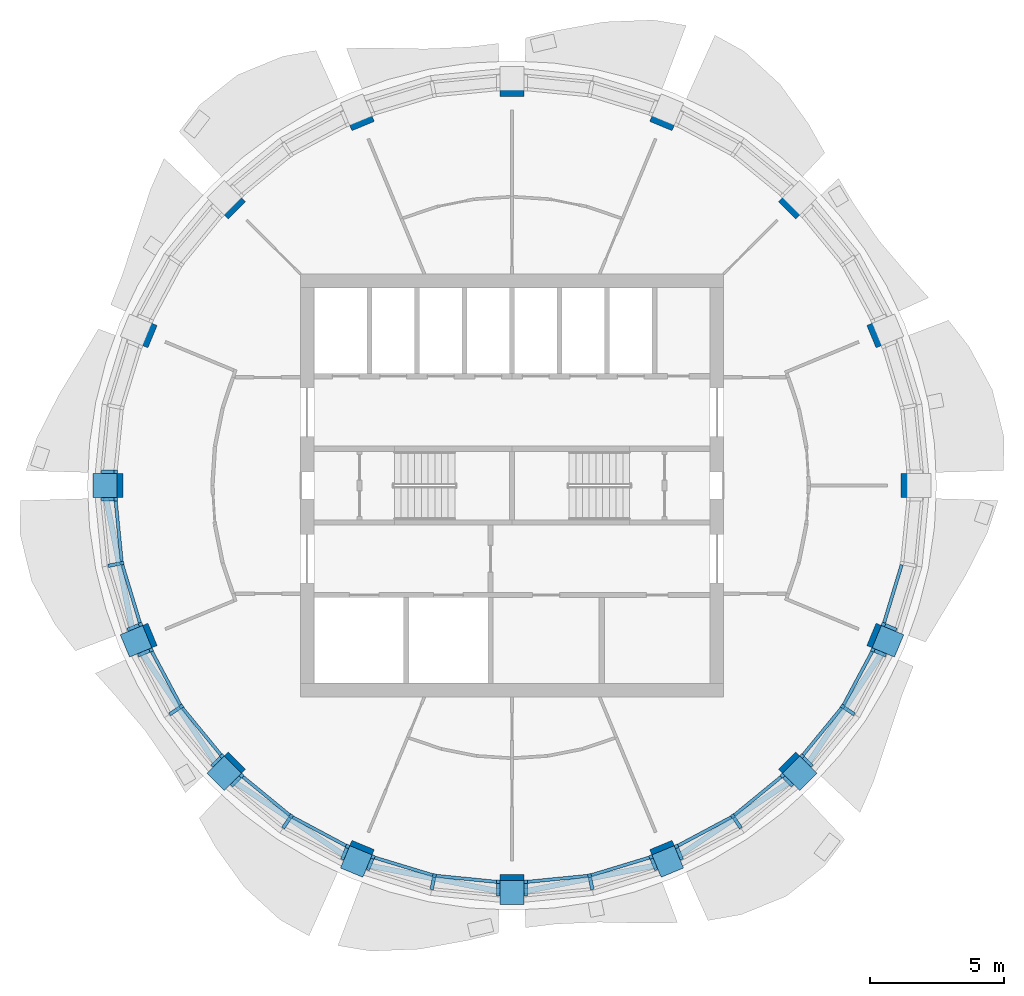
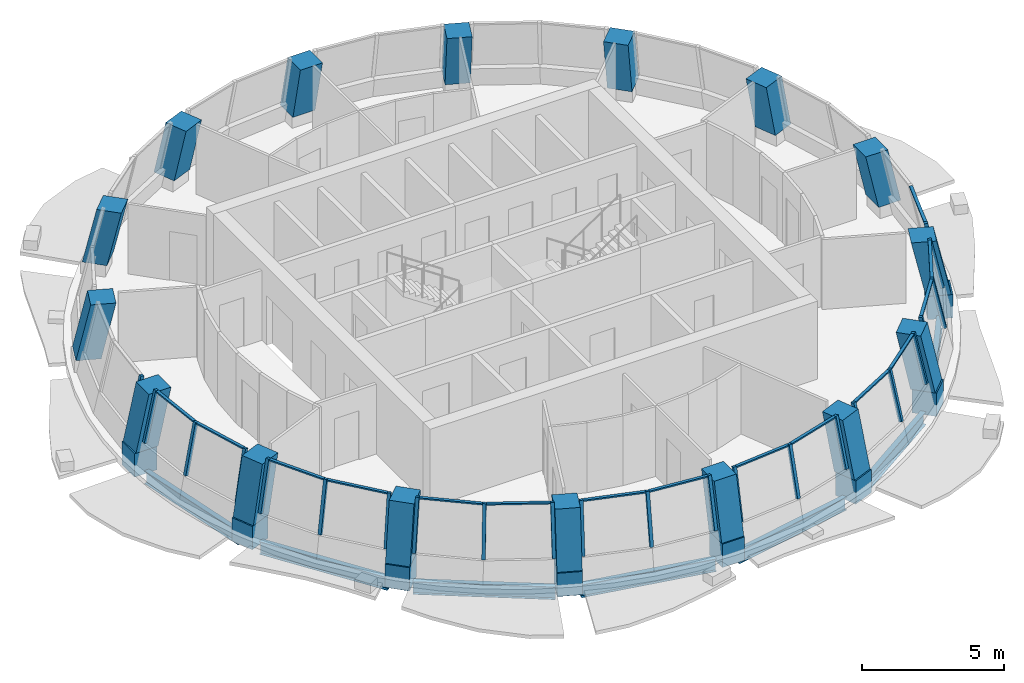
# One storey, part 1 of 11: 46 members, 16 columns, 7 beams, 9 elements without a shape of their own.
"""IFC4 building model written with IfcOpenShell, lengths in metres."""

from ifc_helpers import new_model, si_unit, direction, frame, origin, origin_2d, place, context, subcontext, project, spatial, rectangle, i_section, extrude, material, material_profile, profile_set, type_object, element, aggregate, save


model = new_model("IFC4")

# Units and contexts
model_context = context("Model", 3, precision=1e-05, world=origin(), true_north=direction((0.0, 1.0)))
body_context = subcontext(model_context, "Body", "Model", "MODEL_VIEW")
ifc_project = project(units=[si_unit("LENGTHUNIT", "METRE"), si_unit("AREAUNIT", "SQUARE_METRE"), si_unit("VOLUMEUNIT", "CUBIC_METRE"), si_unit("PLANEANGLEUNIT", "RADIAN"), si_unit("MASSUNIT", "GRAM", prefix="KILO")], contexts=[model_context])

# Site, building, storey
site_placement = place(None, origin())
site = spatial("IfcSite", under=ifc_project, at=site_placement, CompositionType="ELEMENT")
building_placement = place(site_placement, origin())
building = spatial("IfcBuilding", under=site, at=building_placement, Name="Polderwave Tower", CompositionType="ELEMENT")
storey_placement = place(building_placement, frame((0.0, 0.0, 224.5)))
storey = spatial("IfcBuildingStorey", under=building, at=storey_placement, Name="L61", CompositionType="ELEMENT", Elevation=224.5)

# Columns
ifc_material_1 = material(Name="Concrete C60/75", Category="concrete")
ifc_material_profile_1 = material_profile(ifc_material_1, rectangle(XDim=0.89990234375, YDim=0.89990234375, at=origin_2d()), Name="RC 900x900")
ifc_profile_set_1 = profile_set([ifc_material_profile_1], Name="Concrete C60/75")
column_type = type_object("IfcColumnType", Name="RC COLUMN 900x900 C60/75", PredefinedType="COLUMN", material=ifc_profile_set_1)
column_1_placement = place(storey_placement, frame((15.088134765625, 0.0, 0.5), z_axis=(0.0, 0.0, 1.0), x_axis=(0.0, -1.0, 0.0)))
element("IfcColumn", 1, at=column_1_placement, inside=storey, type_object=column_type, Name="Ring column 01", PredefinedType="COLUMN", context=body_context, shape_type="SweptSolid", body=[
    extrude(rectangle(XDim=0.89990234375, YDim=0.89990234375, at=origin_2d()), origin(), (0.0, -0.218465140573, 0.975844753203), 2.408203125),
])
column_2_placement = place(storey_placement, frame((13.939453125, 5.77392578125, 0.5), z_axis=(0.0, 0.0, 1.0), x_axis=(0.382802560388, -0.92383017907, 0.0)))
element("IfcColumn", 2, at=column_2_placement, inside=storey, type_object=column_type, Name="Ring column 02", PredefinedType="COLUMN", context=body_context, shape_type="SweptSolid", body=[
    extrude(rectangle(XDim=0.89990234375, YDim=0.89990234375, at=origin_2d()), origin(), (0.0, -0.218480393317, 0.975841338403), 2.408203125),
])
column_3_placement = place(storey_placement, frame((10.6689453125, 10.6689453125, 0.5), z_axis=(0.0, 0.0, 1.0), x_axis=(0.707106781187, -0.707106781187, 0.0)))
element("IfcColumn", 3, at=column_3_placement, inside=storey, type_object=column_type, Name="Ring column 03", PredefinedType="COLUMN", context=body_context, shape_type="SweptSolid", body=[
    extrude(rectangle(XDim=0.89990234375, YDim=0.89990234375, at=origin_2d()), origin(), (0.0, -0.218490381939, 0.975839102004), 2.408203125),
])
column_4_placement = place(storey_placement, frame((5.77392578125, 13.939453125, 0.5), z_axis=(0.0, 0.0, 1.0), x_axis=(0.92383017907, -0.382802560388, 0.0)))
element("IfcColumn", 4, at=column_4_placement, inside=storey, type_object=column_type, Name="Ring column 04", PredefinedType="COLUMN", context=body_context, shape_type="SweptSolid", body=[
    extrude(rectangle(XDim=0.89990234375, YDim=0.89990234375, at=origin_2d()), origin(), (0.0, -0.218480393317, 0.975841338403), 2.408203125),
])
column_5_placement = place(storey_placement, frame((0.0, 15.088134765625, 0.5), z_axis=(0.0, 0.0, 1.0), x_axis=(1.0, 0.0, 0.0)))
element("IfcColumn", 5, at=column_5_placement, inside=storey, type_object=column_type, Name="Ring column 05", PredefinedType="COLUMN", context=body_context, shape_type="SweptSolid", body=[
    extrude(rectangle(XDim=0.89990234375, YDim=0.89990234375, at=origin_2d()), origin(), (0.0, -0.218465140573, 0.975844753203), 2.408203125),
])
column_6_placement = place(storey_placement, frame((-5.77392578125, 13.939453125, 0.5), z_axis=(0.0, 0.0, 1.0), x_axis=(0.92383017907, 0.382802560388, 0.0)))
element("IfcColumn", 6, at=column_6_placement, inside=storey, type_object=column_type, Name="Ring column 06", PredefinedType="COLUMN", context=body_context, shape_type="SweptSolid", body=[
    extrude(rectangle(XDim=0.89990234375, YDim=0.89990234375, at=origin_2d()), origin(), (0.0, -0.218480393317, 0.975841338403), 2.408203125),
])
column_7_placement = place(storey_placement, frame((-10.6689453125, 10.6689453125, 0.5), z_axis=(0.0, 0.0, 1.0), x_axis=(0.707106781187, 0.707106781187, 0.0)))
element("IfcColumn", 7, at=column_7_placement, inside=storey, type_object=column_type, Name="Ring column 07", PredefinedType="COLUMN", context=body_context, shape_type="SweptSolid", body=[
    extrude(rectangle(XDim=0.89990234375, YDim=0.89990234375, at=origin_2d()), origin(), (0.0, -0.218490381939, 0.975839102004), 2.408203125),
])
column_8_placement = place(storey_placement, frame((-13.939453125, 5.77392578125, 0.5), z_axis=(0.0, 0.0, 1.0), x_axis=(0.382802560388, 0.92383017907, 0.0)))
element("IfcColumn", 8, at=column_8_placement, inside=storey, type_object=column_type, Name="Ring column 08", PredefinedType="COLUMN", context=body_context, shape_type="SweptSolid", body=[
    extrude(rectangle(XDim=0.89990234375, YDim=0.89990234375, at=origin_2d()), origin(), (0.0, -0.218480393317, 0.975841338403), 2.408203125),
])
column_9_placement = place(storey_placement, frame((-15.088134765625, 0.0, 0.5), z_axis=(0.0, 0.0, 1.0), x_axis=(0.0, 1.0, 0.0)))
element("IfcColumn", 9, at=column_9_placement, inside=storey, type_object=column_type, Name="Ring column 09", PredefinedType="COLUMN", context=body_context, shape_type="SweptSolid", body=[
    extrude(rectangle(XDim=0.89990234375, YDim=0.89990234375, at=origin_2d()), origin(), (0.0, -0.218465140573, 0.975844753203), 2.408203125),
])
column_10_placement = place(storey_placement, frame((-13.939453125, -5.77392578125, 0.5), z_axis=(0.0, 0.0, 1.0), x_axis=(-0.382802560388, 0.92383017907, 0.0)))
element("IfcColumn", 10, at=column_10_placement, inside=storey, type_object=column_type, Name="Ring column 10", PredefinedType="COLUMN", context=body_context, shape_type="SweptSolid", body=[
    extrude(rectangle(XDim=0.89990234375, YDim=0.89990234375, at=origin_2d()), origin(), (0.0, -0.218480393317, 0.975841338403), 2.408203125),
])
column_11_placement = place(storey_placement, frame((-10.6689453125, -10.6689453125, 0.5), z_axis=(0.0, 0.0, 1.0), x_axis=(-0.707106781187, 0.707106781187, 0.0)))
element("IfcColumn", 11, at=column_11_placement, inside=storey, type_object=column_type, Name="Ring column 11", PredefinedType="COLUMN", context=body_context, shape_type="SweptSolid", body=[
    extrude(rectangle(XDim=0.89990234375, YDim=0.89990234375, at=origin_2d()), origin(), (0.0, -0.218490381939, 0.975839102004), 2.408203125),
])
column_12_placement = place(storey_placement, frame((-5.77392578125, -13.939453125, 0.5), z_axis=(0.0, 0.0, 1.0), x_axis=(-0.92383017907, 0.382802560388, 0.0)))
element("IfcColumn", 12, at=column_12_placement, inside=storey, type_object=column_type, Name="Ring column 12", PredefinedType="COLUMN", context=body_context, shape_type="SweptSolid", body=[
    extrude(rectangle(XDim=0.89990234375, YDim=0.89990234375, at=origin_2d()), origin(), (0.0, -0.218480393317, 0.975841338403), 2.408203125),
])
column_13_placement = place(storey_placement, frame((0.0, -15.088134765625, 0.5), z_axis=(0.0, 0.0, 1.0), x_axis=(-1.0, 0.0, 0.0)))
element("IfcColumn", 13, at=column_13_placement, inside=storey, type_object=column_type, Name="Ring column 13", PredefinedType="COLUMN", context=body_context, shape_type="SweptSolid", body=[
    extrude(rectangle(XDim=0.89990234375, YDim=0.89990234375, at=origin_2d()), origin(), (0.0, -0.218465140573, 0.975844753203), 2.408203125),
])
column_14_placement = place(storey_placement, frame((5.77392578125, -13.939453125, 0.5), z_axis=(0.0, 0.0, 1.0), x_axis=(-0.92383017907, -0.382802560388, 0.0)))
element("IfcColumn", 14, at=column_14_placement, inside=storey, type_object=column_type, Name="Ring column 14", PredefinedType="COLUMN", context=body_context, shape_type="SweptSolid", body=[
    extrude(rectangle(XDim=0.89990234375, YDim=0.89990234375, at=origin_2d()), origin(), (0.0, -0.218480393317, 0.975841338403), 2.408203125),
])
column_15_placement = place(storey_placement, frame((10.6689453125, -10.6689453125, 0.5), z_axis=(0.0, 0.0, 1.0), x_axis=(-0.707106781187, -0.707106781187, 0.0)))
element("IfcColumn", 15, at=column_15_placement, inside=storey, type_object=column_type, Name="Ring column 15", PredefinedType="COLUMN", context=body_context, shape_type="SweptSolid", body=[
    extrude(rectangle(XDim=0.89990234375, YDim=0.89990234375, at=origin_2d()), origin(), (0.0, -0.218490381939, 0.975839102004), 2.408203125),
])
column_16_placement = place(storey_placement, frame((13.939453125, -5.77392578125, 0.5), z_axis=(0.0, 0.0, 1.0), x_axis=(-0.382802560388, -0.92383017907, 0.0)))
element("IfcColumn", 16, at=column_16_placement, inside=storey, type_object=column_type, Name="Ring column 16", PredefinedType="COLUMN", context=body_context, shape_type="SweptSolid", body=[
    extrude(rectangle(XDim=0.89990234375, YDim=0.89990234375, at=origin_2d()), origin(), (0.0, -0.218480393317, 0.975841338403), 2.408203125),
])

# Curtain wall, member
ifc_material_2 = material(Name="Aluminium 6063-T6 and glass", Category="aluminium")
curtain_wall_type = type_object("IfcCurtainWallType", Name="Office ribbon glazing, leaning storey wall", PredefinedType="NOTDEFINED", material=ifc_material_2)
curtain_wall_1_placement = place(storey_placement, origin())
curtain_wall_1 = element("IfcCurtainWall", 17, at=curtain_wall_1_placement, inside=storey, type_object=curtain_wall_type, Name="CW9 L61 07", PredefinedType="NOTDEFINED")
ifc_material_3 = material(Name="Aluminium 6063-T6", Category="aluminium")
ifc_material_profile_2 = material_profile(ifc_material_3, rectangle(XDim=0.1298828125, YDim=0.139892578125, at=origin_2d()), Name="AL 130x140")
ifc_profile_set_2 = profile_set([ifc_material_profile_2], Name="Aluminium 6063-T6")
member_type_1 = type_object("IfcMemberType", Name="Office ribbon glazing, leaning storey mullion 130x140", PredefinedType="MULLION", material=ifc_profile_set_2)
member_1_placement = place(storey_placement, frame((-15.2080078125, 0.5146484375, 0.89990234375), z_axis=(0.213297172308, 0.0, 0.976987367516), x_axis=(0.0, 1.0, 0.0)))
member_1 = element("IfcMember", 18, at=member_1_placement, type_object=member_type_1, Name="CW9 mullion 3", PredefinedType="MULLION", context=body_context, shape_type="SweptSolid", body=[
    extrude(rectangle(XDim=0.1298828125, YDim=0.139892578125, at=origin_2d()), origin(), (0.0, 0.0, 1.0), 2.149658203125),
])
aggregate(curtain_wall_1, [member_1])

# Curtain wall, members
curtain_wall_2_placement = place(storey_placement, origin())
curtain_wall_2 = element("IfcCurtainWall", 19, at=curtain_wall_2_placement, inside=storey, type_object=curtain_wall_type, Name="CW9 L61 08", PredefinedType="NOTDEFINED")
member_2_placement = place(storey_placement, frame((-15.2080078125, -0.5146484375, 0.89990234375), z_axis=(0.213297172308, 0.0, 0.976987367516), x_axis=(0.0, 1.0, 0.0)))
member_2 = element("IfcMember", 20, at=member_2_placement, type_object=member_type_1, Name="CW9 mullion 1", PredefinedType="MULLION", context=body_context, shape_type="SweptSolid", body=[
    extrude(rectangle(XDim=0.1298828125, YDim=0.139892578125, at=origin_2d()), origin(), (0.0, 0.0, 1.0), 2.149658203125),
])
member_3_placement = place(storey_placement, frame((-14.966064453125, -2.9765625, 0.89990234375), z_axis=(0.209315972333, 0.041681476856, 0.97695930223), x_axis=(-0.195297381473, 0.980744070994, 0.0)))
member_3 = element("IfcMember", 21, at=member_3_placement, type_object=member_type_1, Name="CW9 mullion 2", PredefinedType="MULLION", context=body_context, shape_type="SweptSolid", body=[
    extrude(rectangle(XDim=0.1298828125, YDim=0.139892578125, at=origin_2d()), origin(), (0.0, 0.0, 1.0), 2.149658203125),
])
member_4_placement = place(storey_placement, frame((-14.247314453125, -5.344482421875, 0.89990234375), z_axis=(0.196944312583, 0.081776185156, 0.97699825654), x_axis=(-0.383480536297, 0.923548958248, 0.0)))
member_4 = element("IfcMember", 22, at=member_4_placement, type_object=member_type_1, Name="CW9 mullion 3", PredefinedType="MULLION", context=body_context, shape_type="SweptSolid", body=[
    extrude(rectangle(XDim=0.1298828125, YDim=0.139892578125, at=origin_2d()), origin(), (0.0, 0.0, 1.0), 2.149658203125),
])

curtain_wall_3_placement = place(storey_placement, origin())
curtain_wall_3 = element("IfcCurtainWall", 23, at=curtain_wall_3_placement, inside=storey, type_object=curtain_wall_type, Name="CW9 L61 09", PredefinedType="NOTDEFINED")
member_5_placement = place(storey_placement, frame((-13.853515625, -6.294921875, 0.89990234375), z_axis=(0.197273628394, 0.081657880723, 0.976941710675), x_axis=(-0.382461417292, 0.923971462916, 0.0)))
member_5 = element("IfcMember", 24, at=member_5_placement, type_object=member_type_1, Name="CW9 mullion 1", PredefinedType="MULLION", context=body_context, shape_type="SweptSolid", body=[
    extrude(rectangle(XDim=0.1298828125, YDim=0.139892578125, at=origin_2d()), origin(), (0.0, 0.0, 1.0), 2.149658203125),
])
member_6_placement = place(storey_placement, frame((-12.6875, -8.4775390625, 0.89990234375), z_axis=(0.177506415354, 0.118905449057, 0.976909907152), x_axis=(-0.556538840469, 0.830821592792, 0.0)))
member_6 = element("IfcMember", 25, at=member_6_placement, type_object=member_type_1, Name="CW9 mullion 2", PredefinedType="MULLION", context=body_context, shape_type="SweptSolid", body=[
    extrude(rectangle(XDim=0.1298828125, YDim=0.139892578125, at=origin_2d()), origin(), (0.0, 0.0, 1.0), 2.149658203125),
])
member_7_placement = place(storey_placement, frame((-11.117919921875, -10.389892578125, 0.89990234375), z_axis=(0.151051647107, 0.150824501773, 0.976952081512), x_axis=(-0.706574521886, 0.707638640142, 0.0)))
member_7 = element("IfcMember", 26, at=member_7_placement, type_object=member_type_1, Name="CW9 mullion 3", PredefinedType="MULLION", context=body_context, shape_type="SweptSolid", body=[
    extrude(rectangle(XDim=0.1298828125, YDim=0.139892578125, at=origin_2d()), origin(), (0.0, 0.0, 1.0), 2.149658203125),
])

curtain_wall_4_placement = place(storey_placement, origin())
curtain_wall_4 = element("IfcCurtainWall", 27, at=curtain_wall_4_placement, inside=storey, type_object=curtain_wall_type, Name="CW9 L61 10", PredefinedType="NOTDEFINED")
member_8_placement = place(storey_placement, frame((-10.389892578125, -11.117919921875, 0.89990234375), z_axis=(0.150824501773, 0.151051647107, 0.976952081512), x_axis=(-0.707638640142, 0.706574521886, 0.0)))
member_8 = element("IfcMember", 28, at=member_8_placement, type_object=member_type_1, Name="CW9 mullion 1", PredefinedType="MULLION", context=body_context, shape_type="SweptSolid", body=[
    extrude(rectangle(XDim=0.1298828125, YDim=0.139892578125, at=origin_2d()), origin(), (0.0, 0.0, 1.0), 2.149658203125),
])
member_9_placement = place(storey_placement, frame((-8.4775390625, -12.6875, 0.89990234375), z_axis=(0.118905449057, 0.177506415354, 0.976909907152), x_axis=(-0.830821592792, 0.556538840469, 0.0)))
member_9 = element("IfcMember", 29, at=member_9_placement, type_object=member_type_1, Name="CW9 mullion 2", PredefinedType="MULLION", context=body_context, shape_type="SweptSolid", body=[
    extrude(rectangle(XDim=0.1298828125, YDim=0.139892578125, at=origin_2d()), origin(), (0.0, 0.0, 1.0), 2.149658203125),
])
member_10_placement = place(storey_placement, frame((-6.294921875, -13.853515625, 0.89990234375), z_axis=(0.081657880723, 0.197273628394, 0.976941710675), x_axis=(-0.923971462916, 0.382461417292, 0.0)))
member_10 = element("IfcMember", 30, at=member_10_placement, type_object=member_type_1, Name="CW9 mullion 3", PredefinedType="MULLION", context=body_context, shape_type="SweptSolid", body=[
    extrude(rectangle(XDim=0.1298828125, YDim=0.139892578125, at=origin_2d()), origin(), (0.0, 0.0, 1.0), 2.149658203125),
])

curtain_wall_5_placement = place(storey_placement, origin())
curtain_wall_5 = element("IfcCurtainWall", 31, at=curtain_wall_5_placement, inside=storey, type_object=curtain_wall_type, Name="CW9 L61 11", PredefinedType="NOTDEFINED")
member_11_placement = place(storey_placement, frame((-5.344482421875, -14.247314453125, 0.89990234375), z_axis=(0.081776185156, 0.196944312583, 0.97699825654), x_axis=(-0.923548958248, 0.383480536297, 0.0)))
member_11 = element("IfcMember", 32, at=member_11_placement, type_object=member_type_1, Name="CW9 mullion 1", PredefinedType="MULLION", context=body_context, shape_type="SweptSolid", body=[
    extrude(rectangle(XDim=0.1298828125, YDim=0.139892578125, at=origin_2d()), origin(), (0.0, 0.0, 1.0), 2.149658203125),
])
member_12_placement = place(storey_placement, frame((-2.9765625, -14.966064453125, 0.89990234375), z_axis=(0.041681476856, 0.209315972333, 0.97695930223), x_axis=(-0.980744070994, 0.195297381473, 0.0)))
member_12 = element("IfcMember", 33, at=member_12_placement, type_object=member_type_1, Name="CW9 mullion 2", PredefinedType="MULLION", context=body_context, shape_type="SweptSolid", body=[
    extrude(rectangle(XDim=0.1298828125, YDim=0.139892578125, at=origin_2d()), origin(), (0.0, 0.0, 1.0), 2.149658203125),
])
member_13_placement = place(storey_placement, frame((-0.5146484375, -15.2080078125, 0.89990234375), z_axis=(0.0, 0.213297172308, 0.976987367516), x_axis=(-1.0, 0.0, 0.0)))
member_13 = element("IfcMember", 34, at=member_13_placement, type_object=member_type_1, Name="CW9 mullion 3", PredefinedType="MULLION", context=body_context, shape_type="SweptSolid", body=[
    extrude(rectangle(XDim=0.1298828125, YDim=0.139892578125, at=origin_2d()), origin(), (0.0, 0.0, 1.0), 2.149658203125),
])

curtain_wall_6_placement = place(storey_placement, origin())
curtain_wall_6 = element("IfcCurtainWall", 35, at=curtain_wall_6_placement, inside=storey, type_object=curtain_wall_type, Name="CW9 L61 12", PredefinedType="NOTDEFINED")
member_14_placement = place(storey_placement, frame((0.5146484375, -15.2080078125, 0.89990234375), z_axis=(0.0, 0.213297172308, 0.976987367516), x_axis=(-1.0, 0.0, 0.0)))
member_14 = element("IfcMember", 36, at=member_14_placement, type_object=member_type_1, Name="CW9 mullion 1", PredefinedType="MULLION", context=body_context, shape_type="SweptSolid", body=[
    extrude(rectangle(XDim=0.1298828125, YDim=0.139892578125, at=origin_2d()), origin(), (0.0, 0.0, 1.0), 2.149658203125),
])
member_15_placement = place(storey_placement, frame((2.9765625, -14.966064453125, 0.89990234375), z_axis=(-0.041681476856, 0.209315972333, 0.97695930223), x_axis=(-0.980744070994, -0.195297381473, 0.0)))
member_15 = element("IfcMember", 37, at=member_15_placement, type_object=member_type_1, Name="CW9 mullion 2", PredefinedType="MULLION", context=body_context, shape_type="SweptSolid", body=[
    extrude(rectangle(XDim=0.1298828125, YDim=0.139892578125, at=origin_2d()), origin(), (0.0, 0.0, 1.0), 2.149658203125),
])
member_16_placement = place(storey_placement, frame((5.344482421875, -14.247314453125, 0.89990234375), z_axis=(-0.081776185156, 0.196944312583, 0.97699825654), x_axis=(-0.923548958248, -0.383480536297, 0.0)))
member_16 = element("IfcMember", 38, at=member_16_placement, type_object=member_type_1, Name="CW9 mullion 3", PredefinedType="MULLION", context=body_context, shape_type="SweptSolid", body=[
    extrude(rectangle(XDim=0.1298828125, YDim=0.139892578125, at=origin_2d()), origin(), (0.0, 0.0, 1.0), 2.149658203125),
])

curtain_wall_7_placement = place(storey_placement, origin())
curtain_wall_7 = element("IfcCurtainWall", 39, at=curtain_wall_7_placement, inside=storey, type_object=curtain_wall_type, Name="CW9 L61 13", PredefinedType="NOTDEFINED")
member_17_placement = place(storey_placement, frame((6.294921875, -13.853515625, 0.89990234375), z_axis=(-0.081657880723, 0.197273628394, 0.976941710675), x_axis=(-0.923971462916, -0.382461417292, 0.0)))
member_17 = element("IfcMember", 40, at=member_17_placement, type_object=member_type_1, Name="CW9 mullion 1", PredefinedType="MULLION", context=body_context, shape_type="SweptSolid", body=[
    extrude(rectangle(XDim=0.1298828125, YDim=0.139892578125, at=origin_2d()), origin(), (0.0, 0.0, 1.0), 2.149658203125),
])
member_18_placement = place(storey_placement, frame((8.4775390625, -12.6875, 0.89990234375), z_axis=(-0.118905449057, 0.177506415354, 0.976909907152), x_axis=(-0.830821592792, -0.556538840469, 0.0)))
member_18 = element("IfcMember", 41, at=member_18_placement, type_object=member_type_1, Name="CW9 mullion 2", PredefinedType="MULLION", context=body_context, shape_type="SweptSolid", body=[
    extrude(rectangle(XDim=0.1298828125, YDim=0.139892578125, at=origin_2d()), origin(), (0.0, 0.0, 1.0), 2.149658203125),
])
member_19_placement = place(storey_placement, frame((10.389892578125, -11.117919921875, 0.89990234375), z_axis=(-0.150824501773, 0.151051647107, 0.976952081512), x_axis=(-0.707638640142, -0.706574521886, 0.0)))
member_19 = element("IfcMember", 42, at=member_19_placement, type_object=member_type_1, Name="CW9 mullion 3", PredefinedType="MULLION", context=body_context, shape_type="SweptSolid", body=[
    extrude(rectangle(XDim=0.1298828125, YDim=0.139892578125, at=origin_2d()), origin(), (0.0, 0.0, 1.0), 2.149658203125),
])

curtain_wall_8_placement = place(storey_placement, origin())
curtain_wall_8 = element("IfcCurtainWall", 43, at=curtain_wall_8_placement, inside=storey, type_object=curtain_wall_type, Name="CW9 L61 14", PredefinedType="NOTDEFINED")
member_20_placement = place(storey_placement, frame((11.117919921875, -10.389892578125, 0.89990234375), z_axis=(-0.151051647107, 0.150824501773, 0.976952081512), x_axis=(-0.706574521886, -0.707638640142, 0.0)))
member_20 = element("IfcMember", 44, at=member_20_placement, type_object=member_type_1, Name="CW9 mullion 1", PredefinedType="MULLION", context=body_context, shape_type="SweptSolid", body=[
    extrude(rectangle(XDim=0.1298828125, YDim=0.139892578125, at=origin_2d()), origin(), (0.0, 0.0, 1.0), 2.149658203125),
])
member_21_placement = place(storey_placement, frame((12.6875, -8.4775390625, 0.89990234375), z_axis=(-0.177506415354, 0.118905449057, 0.976909907152), x_axis=(-0.556538840469, -0.830821592792, 0.0)))
member_21 = element("IfcMember", 45, at=member_21_placement, type_object=member_type_1, Name="CW9 mullion 2", PredefinedType="MULLION", context=body_context, shape_type="SweptSolid", body=[
    extrude(rectangle(XDim=0.1298828125, YDim=0.139892578125, at=origin_2d()), origin(), (0.0, 0.0, 1.0), 2.149658203125),
])
member_22_placement = place(storey_placement, frame((13.853515625, -6.294921875, 0.89990234375), z_axis=(-0.197273628394, 0.081657880723, 0.976941710675), x_axis=(-0.382461417292, -0.923971462916, 0.0)))
member_22 = element("IfcMember", 46, at=member_22_placement, type_object=member_type_1, Name="CW9 mullion 3", PredefinedType="MULLION", context=body_context, shape_type="SweptSolid", body=[
    extrude(rectangle(XDim=0.1298828125, YDim=0.139892578125, at=origin_2d()), origin(), (0.0, 0.0, 1.0), 2.149658203125),
])

# Curtain wall, member
curtain_wall_9_placement = place(storey_placement, origin())
curtain_wall_9 = element("IfcCurtainWall", 47, at=curtain_wall_9_placement, inside=storey, type_object=curtain_wall_type, Name="CW9 L61 15", PredefinedType="NOTDEFINED")
member_23_placement = place(storey_placement, frame((14.247314453125, -5.344482421875, 0.89990234375), z_axis=(-0.196944312583, 0.081776185156, 0.97699825654), x_axis=(-0.383480536297, -0.923548958248, 0.0)))
member_23 = element("IfcMember", 48, at=member_23_placement, type_object=member_type_1, Name="CW9 mullion 1", PredefinedType="MULLION", context=body_context, shape_type="SweptSolid", body=[
    extrude(rectangle(XDim=0.1298828125, YDim=0.139892578125, at=origin_2d()), origin(), (0.0, 0.0, 1.0), 2.149658203125),
])

# Member
ifc_material_profile_3 = material_profile(ifc_material_3, rectangle(XDim=0.1201171875, YDim=0.06005859375, at=origin_2d()), Name="AL 60x120")
ifc_profile_set_3 = profile_set([ifc_material_profile_3], Name="Aluminium 6063-T6")
member_type_2 = type_object("IfcMemberType", Name="Office ribbon glazing, leaning storey transom 60x120", PredefinedType="USERDEFINED", material=ifc_profile_set_3)
member_24_placement = place(storey_placement, frame((-14.749755859375, -0.579345703125, 2.969970703125), z_axis=(0.097981435982, -0.995188242597, 0.0), x_axis=(0.995188242597, 0.097981435982, 0.0)))
member_24 = element("IfcMember", 49, at=member_24_placement, type_object=member_type_2, Name="CW9 transom 1", ObjectType="TRANSOM", PredefinedType="USERDEFINED", context=body_context, shape_type="SweptSolid", body=[
    extrude(rectangle(XDim=0.1201171875, YDim=0.06005859375, at=origin_2d()), origin(), (0.0, 0.0, 1.0), 2.2548828125),
])

member_25_placement = place(storey_placement, frame((-14.503662109375, -2.950439453125, 2.969970703125), z_axis=(0.290265710348, -0.956946089075, 0.0), x_axis=(0.956946089075, 0.290265710348, 0.0)))
member_25 = element("IfcMember", 50, at=member_25_placement, type_object=member_type_2, Name="CW9 transom 2", ObjectType="TRANSOM", PredefinedType="USERDEFINED", context=body_context, shape_type="SweptSolid", body=[
    extrude(rectangle(XDim=0.1201171875, YDim=0.06005859375, at=origin_2d()), origin(), (0.0, 0.0, 1.0), 2.255859375),
])

aggregate(curtain_wall_2, [member_2, member_3, member_4, member_24, member_25])

member_26_placement = place(storey_placement, frame((-13.40478515625, -6.17919921875, 2.969970703125), z_axis=(0.471256766272, -0.881996065889, 0.0), x_axis=(0.881996065889, 0.471256766272, 0.0)))
member_26 = element("IfcMember", 51, at=member_26_placement, type_object=member_type_2, Name="CW9 transom 1", ObjectType="TRANSOM", PredefinedType="USERDEFINED", context=body_context, shape_type="SweptSolid", body=[
    extrude(rectangle(XDim=0.1201171875, YDim=0.06005859375, at=origin_2d()), origin(), (0.0, 0.0, 1.0), 2.255126953125),
])

member_27_placement = place(storey_placement, frame((-12.270263671875, -8.27587890625, 2.969970703125), z_axis=(0.634333193972, -0.7730597642, 0.0), x_axis=(0.7730597642, 0.634333193972, 0.0)))
member_27 = element("IfcMember", 52, at=member_27_placement, type_object=member_type_2, Name="CW9 transom 2", ObjectType="TRANSOM", PredefinedType="USERDEFINED", context=body_context, shape_type="SweptSolid", body=[
    extrude(rectangle(XDim=0.1201171875, YDim=0.06005859375, at=origin_2d()), origin(), (0.0, 0.0, 1.0), 2.256103515625),
])

aggregate(curtain_wall_3, [member_5, member_6, member_7, member_26, member_27])

member_28_placement = place(storey_placement, frame((-10.02001953125, -10.839111328125, 2.969970703125), z_axis=(0.7730597642, -0.634333193972, 0.0), x_axis=(0.634333193972, 0.7730597642, 0.0)))
member_28 = element("IfcMember", 53, at=member_28_placement, type_object=member_type_2, Name="CW9 transom 1", ObjectType="TRANSOM", PredefinedType="USERDEFINED", context=body_context, shape_type="SweptSolid", body=[
    extrude(rectangle(XDim=0.1201171875, YDim=0.06005859375, at=origin_2d()), origin(), (0.0, 0.0, 1.0), 2.256103515625),
])

member_29_placement = place(storey_placement, frame((-8.168212890625, -12.342041015625, 2.969970703125), z_axis=(0.881996065889, -0.471256766272, 0.0), x_axis=(0.471256766272, 0.881996065889, 0.0)))
member_29 = element("IfcMember", 54, at=member_29_placement, type_object=member_type_2, Name="CW9 transom 2", ObjectType="TRANSOM", PredefinedType="USERDEFINED", context=body_context, shape_type="SweptSolid", body=[
    extrude(rectangle(XDim=0.1201171875, YDim=0.06005859375, at=origin_2d()), origin(), (0.0, 0.0, 1.0), 2.255126953125),
])

aggregate(curtain_wall_4, [member_8, member_9, member_10, member_28, member_29])

member_30_placement = place(storey_placement, frame((-5.109130859375, -13.848876953125, 2.969970703125), z_axis=(0.956946089075, -0.290265710348, 0.0), x_axis=(0.290265710348, 0.956946089075, 0.0)))
member_30 = element("IfcMember", 55, at=member_30_placement, type_object=member_type_2, Name="CW9 transom 1", ObjectType="TRANSOM", PredefinedType="USERDEFINED", context=body_context, shape_type="SweptSolid", body=[
    extrude(rectangle(XDim=0.1201171875, YDim=0.06005859375, at=origin_2d()), origin(), (0.0, 0.0, 1.0), 2.255859375),
])

member_31_placement = place(storey_placement, frame((-2.823486328125, -14.52880859375, 2.969970703125), z_axis=(0.995188242597, -0.097981435982, 0.0), x_axis=(0.097981435982, 0.995188242597, 0.0)))
member_31 = element("IfcMember", 56, at=member_31_placement, type_object=member_type_2, Name="CW9 transom 2", ObjectType="TRANSOM", PredefinedType="USERDEFINED", context=body_context, shape_type="SweptSolid", body=[
    extrude(rectangle(XDim=0.1201171875, YDim=0.06005859375, at=origin_2d()), origin(), (0.0, 0.0, 1.0), 2.2548828125),
])

aggregate(curtain_wall_5, [member_11, member_12, member_13, member_30, member_31])

member_32_placement = place(storey_placement, frame((0.579345703125, -14.749755859375, 2.969970703125), z_axis=(0.995188242597, 0.097981435982, 0.0), x_axis=(-0.097981435982, 0.995188242597, 0.0)))
member_32 = element("IfcMember", 57, at=member_32_placement, type_object=member_type_2, Name="CW9 transom 1", ObjectType="TRANSOM", PredefinedType="USERDEFINED", context=body_context, shape_type="SweptSolid", body=[
    extrude(rectangle(XDim=0.1201171875, YDim=0.06005859375, at=origin_2d()), origin(), (0.0, 0.0, 1.0), 2.2548828125),
])

member_33_placement = place(storey_placement, frame((2.950439453125, -14.503662109375, 2.969970703125), z_axis=(0.956946089075, 0.290265710348, 0.0), x_axis=(-0.290265710348, 0.956946089075, 0.0)))
member_33 = element("IfcMember", 58, at=member_33_placement, type_object=member_type_2, Name="CW9 transom 2", ObjectType="TRANSOM", PredefinedType="USERDEFINED", context=body_context, shape_type="SweptSolid", body=[
    extrude(rectangle(XDim=0.1201171875, YDim=0.06005859375, at=origin_2d()), origin(), (0.0, 0.0, 1.0), 2.255859375),
])

aggregate(curtain_wall_6, [member_14, member_15, member_16, member_32, member_33])

member_34_placement = place(storey_placement, frame((6.17919921875, -13.40478515625, 2.969970703125), z_axis=(0.881996065889, 0.471256766272, 0.0), x_axis=(-0.471256766272, 0.881996065889, 0.0)))
member_34 = element("IfcMember", 59, at=member_34_placement, type_object=member_type_2, Name="CW9 transom 1", ObjectType="TRANSOM", PredefinedType="USERDEFINED", context=body_context, shape_type="SweptSolid", body=[
    extrude(rectangle(XDim=0.1201171875, YDim=0.06005859375, at=origin_2d()), origin(), (0.0, 0.0, 1.0), 2.255126953125),
])

member_35_placement = place(storey_placement, frame((8.27587890625, -12.270263671875, 2.969970703125), z_axis=(0.7730597642, 0.634333193972, 0.0), x_axis=(-0.634333193972, 0.7730597642, 0.0)))
member_35 = element("IfcMember", 60, at=member_35_placement, type_object=member_type_2, Name="CW9 transom 2", ObjectType="TRANSOM", PredefinedType="USERDEFINED", context=body_context, shape_type="SweptSolid", body=[
    extrude(rectangle(XDim=0.1201171875, YDim=0.06005859375, at=origin_2d()), origin(), (0.0, 0.0, 1.0), 2.256103515625),
])

aggregate(curtain_wall_7, [member_17, member_18, member_19, member_34, member_35])

member_36_placement = place(storey_placement, frame((10.839111328125, -10.02001953125, 2.969970703125), z_axis=(0.634333193972, 0.7730597642, 0.0), x_axis=(-0.7730597642, 0.634333193972, 0.0)))
member_36 = element("IfcMember", 61, at=member_36_placement, type_object=member_type_2, Name="CW9 transom 1", ObjectType="TRANSOM", PredefinedType="USERDEFINED", context=body_context, shape_type="SweptSolid", body=[
    extrude(rectangle(XDim=0.1201171875, YDim=0.06005859375, at=origin_2d()), origin(), (0.0, 0.0, 1.0), 2.256103515625),
])

member_37_placement = place(storey_placement, frame((12.342041015625, -8.168212890625, 2.969970703125), z_axis=(0.471256766272, 0.881996065889, 0.0), x_axis=(-0.881996065889, 0.471256766272, 0.0)))
member_37 = element("IfcMember", 62, at=member_37_placement, type_object=member_type_2, Name="CW9 transom 2", ObjectType="TRANSOM", PredefinedType="USERDEFINED", context=body_context, shape_type="SweptSolid", body=[
    extrude(rectangle(XDim=0.1201171875, YDim=0.06005859375, at=origin_2d()), origin(), (0.0, 0.0, 1.0), 2.255126953125),
])

aggregate(curtain_wall_8, [member_20, member_21, member_22, member_36, member_37])

member_38_placement = place(storey_placement, frame((13.848876953125, -5.109130859375, 2.969970703125), z_axis=(0.290265710348, 0.956946089075, 0.0), x_axis=(-0.956946089075, 0.290265710348, 0.0)))
member_38 = element("IfcMember", 63, at=member_38_placement, type_object=member_type_2, Name="CW9 transom 1", ObjectType="TRANSOM", PredefinedType="USERDEFINED", context=body_context, shape_type="SweptSolid", body=[
    extrude(rectangle(XDim=0.1201171875, YDim=0.06005859375, at=origin_2d()), origin(), (0.0, 0.0, 1.0), 2.255859375),
])

aggregate(curtain_wall_9, [member_23, member_38])

# Members
ifc_material_profile_4 = material_profile(ifc_material_1, rectangle(XDim=0.89990234375, YDim=0.89990234375, at=origin_2d()), Name="RC 900x900")
ifc_profile_set_4 = profile_set([ifc_material_profile_4], Name="Concrete C60/75")
member_type_3 = type_object("IfcMemberType", Name="RC NODE 900x900 C60/75", PredefinedType="POST", material=ifc_profile_set_4)
for number, where, z_axis, x_axis, name in (
    (64, (-15.14404296875, 0.0, -0.5), (0.0, 0.0, 1.0), (-1.0, 0.0, 0.0), "Ring column node 09"),
    (65, (-13.9912109375, -5.79541015625, -0.5), (0.0, 0.0, 1.0), (-0.923879532511, -0.382683432365, 0.0), "Ring column node 10"),
    (66, (-10.70849609375, -10.70849609375, -0.5), (0.0, 0.0, 1.0), (-0.707106781187, -0.707106781187, 0.0), "Ring column node 11"),
    (67, (-5.79541015625, -13.9912109375, -0.5), (0.0, 0.0, 1.0), (-0.382683432365, -0.923879532511, 0.0), "Ring column node 12"),
    (68, (0.0, -15.14404296875, -0.5), (0.0, 0.0, 1.0), (0.0, -1.0, 0.0), "Ring column node 13"),
    (69, (5.79541015625, -13.9912109375, -0.5), (0.0, 0.0, 1.0), (0.382683432365, -0.923879532511, 0.0), "Ring column node 14"),
    (70, (10.70849609375, -10.70849609375, -0.5), (0.0, 0.0, 1.0), (0.707106781187, -0.707106781187, 0.0), "Ring column node 15"),
    (71, (13.9912109375, -5.79541015625, -0.5), (0.0, 0.0, 1.0), (0.923879532511, -0.382683432365, 0.0), "Ring column node 16"),
):
    element("IfcMember", number, at=place(storey_placement, frame(where, z_axis=z_axis, x_axis=x_axis)), inside=storey, type_object=member_type_3, Name=name, PredefinedType="POST", context=body_context, shape_type="SweptSolid", body=[
        extrude(rectangle(XDim=0.89990234375, YDim=0.89990234375, at=origin_2d()), origin(), (0.0, 0.0, 1.0), 1.0),
    ])

# Beams
ifc_material_4 = material(Name="Steel S355", Category="steel")
ifc_material_profile_5 = material_profile(ifc_material_4, i_section(OverallWidth=0.2099609375, OverallDepth=0.550048828125, WebThickness=0.010986328125, FlangeThickness=0.01708984375, at=origin_2d()), Name="IPE 550")
ifc_profile_set_5 = profile_set([ifc_material_profile_5], Name="Steel S355")
beam_type = type_object("IfcBeamType", Name="RING BEAM IPE 550", PredefinedType="BEAM", material=ifc_profile_set_5)
for number, where, z_axis, x_axis, name in (
    (72, (-15.110595703125, -0.449951171875, -0.625), (0.195095186313, -0.980784312822, 0.0), (0.980784312822, 0.195095186313, 0.0), "ST-RB-L61-08"),
    (73, (-13.7880859375, -6.1982421875, -0.625), (0.555576499258, -0.831465425301, 0.0), (0.831465425301, 0.555576499258, 0.0), "ST-RB-L61-09"),
    (74, (-10.366455078125, -11.0029296875, -0.625), (0.831465425301, -0.555576499258, 0.0), (0.555576499258, 0.831465425301, 0.0), "ST-RB-L61-10"),
    (75, (-5.36669921875, -14.132568359375, -0.625), (0.980784312822, -0.195095186313, 0.0), (0.195095186313, 0.980784312822, 0.0), "ST-RB-L61-11"),
    (76, (0.449951171875, -15.110595703125, -0.625), (0.980784312822, 0.195095186313, 0.0), (-0.195095186313, 0.980784312822, 0.0), "ST-RB-L61-12"),
    (77, (6.1982421875, -13.7880859375, -0.625), (0.831465425301, 0.555576499258, 0.0), (-0.555576499258, 0.831465425301, 0.0), "ST-RB-L61-13"),
    (78, (11.0029296875, -10.366455078125, -0.625), (0.555576499258, 0.831465425301, 0.0), (-0.831465425301, 0.555576499258, 0.0), "ST-RB-L61-14"),
):
    element("IfcBeam", number, at=place(storey_placement, frame(where, z_axis=z_axis, x_axis=x_axis)), inside=storey, type_object=beam_type, Name=name, PredefinedType="BEAM", context=body_context, shape_type="SweptSolid", body=[
        extrude(i_section(OverallWidth=0.2099609375, OverallDepth=0.550048828125, WebThickness=0.010986328125, FlangeThickness=0.01708984375, at=origin_2d()), origin(), (0.0, 0.0, 1.0), 5.01318359375),
    ])

save(model, "model.ifc")
